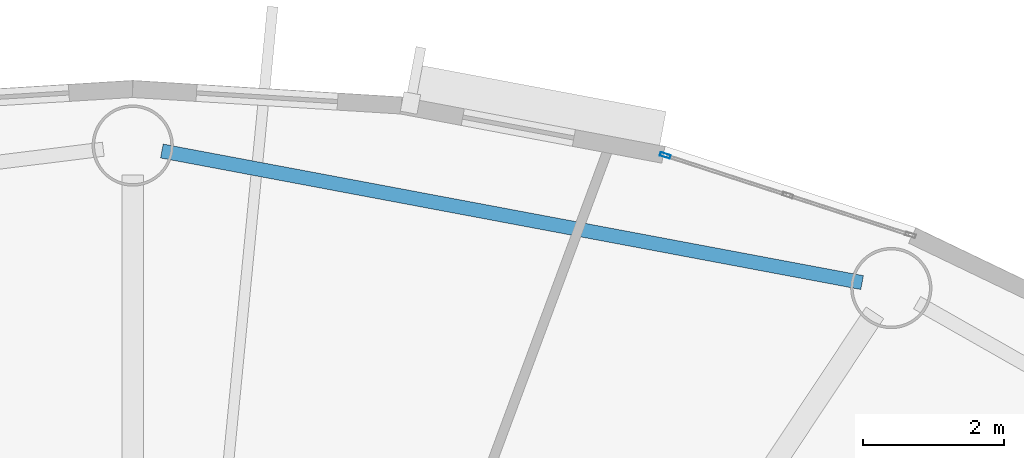
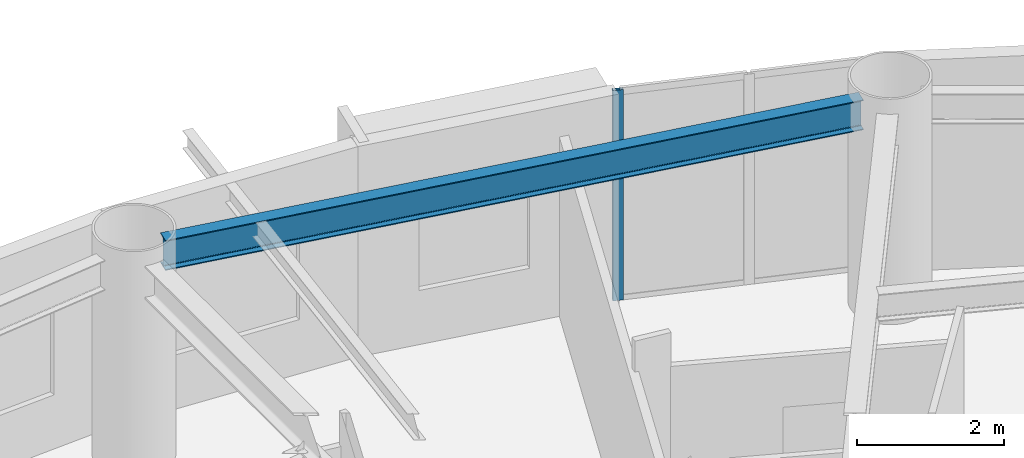
# One storey, part 4 of 19: 1 beam, 1 member, 1 element without a shape of its own.
"""IFC4 building model written with IfcOpenShell, lengths in metres."""

from ifc_helpers import new_model, si_unit, direction, frame, origin, origin_2d, place, context, subcontext, project, spatial, hollow_rectangle, i_section, extrude, source, transform, mapped, material, layer, layer_set, material_profile, profile_set, type_object, element, aggregate, save


model = new_model("IFC4")

# Units and contexts
model_context = context("Model", 3, precision=1e-05, world=origin(), true_north=direction((0.0, 1.0)))
body_context = subcontext(model_context, "Body", "Model", "MODEL_VIEW")
ifc_project = project(units=[si_unit("LENGTHUNIT", "METRE"), si_unit("AREAUNIT", "SQUARE_METRE"), si_unit("VOLUMEUNIT", "CUBIC_METRE"), si_unit("PLANEANGLEUNIT", "RADIAN"), si_unit("MASSUNIT", "GRAM", prefix="KILO")], contexts=[model_context])

# Site, building, storey
site_placement = place(None, origin())
site = spatial("IfcSite", under=ifc_project, at=site_placement, CompositionType="ELEMENT")
building_placement = place(site_placement, origin())
building = spatial("IfcBuilding", under=site, at=building_placement, Name="Linh Dai School and Residence Tower", CompositionType="ELEMENT")
storey_placement = place(building_placement, frame((0.0, 0.0, 217.800048828125)))
storey = spatial("IfcBuildingStorey", under=building, at=storey_placement, Name="L53", CompositionType="ELEMENT", Elevation=217.800048828125)

# Beam
ifc_material_1 = material(Name="Structural Steel S355JR", Category="steel")
ifc_material_profile_1 = material_profile(ifc_material_1, i_section(OverallWidth=0.199951171875, OverallDepth=0.5, WebThickness=0.01025390625, FlangeThickness=0.01611328125, FilletRadius=0.02099609375, at=origin_2d()), Name="IPE 500")
ifc_profile_set_1 = profile_set([ifc_material_profile_1], Name="Structural Steel S355JR")
beam_type = type_object("IfcBeamType", Name="BM-RB50", PredefinedType="BEAM", material=ifc_profile_set_1)
beam_placement = place(storey_placement, frame((46.32177734375, 43.240966796875, 3.25), z_axis=(-0.982806607762, 0.184637947722, 0.0), x_axis=(-0.184637947722, -0.982806607762, 0.0)))
element("IfcBeam", 1, at=beam_placement, inside=storey, type_object=beam_type, Name="L53 Perimeter Elliptical Ring Beam 04", PredefinedType="BEAM", context=body_context, shape_type="SweptSolid", body=[
    extrude(i_section(OverallWidth=0.199951171875, OverallDepth=0.5, WebThickness=0.01025390625, FlangeThickness=0.01611328125, FilletRadius=0.02099609375, at=origin_2d()), origin(), (0.0, 0.0, 1.0), 10.082275390625),
])

# Curtain wall, member
ifc_material_2 = material(Name="Aluminium Anodised Curtain Wall", Category="aluminium")
ifc_layer = layer(ifc_material_2, 0.14990234375)
ifc_layer_set = layer_set([ifc_layer], Name="Aluminium Anodised Curtain Wall")
curtain_wall_type = type_object("IfcCurtainWallType", Name="CW-SYS-4", PredefinedType="USERDEFINED", material=ifc_layer_set)
curtain_wall_placement = place(storey_placement, origin())
curtain_wall = element("IfcCurtainWall", 2, at=curtain_wall_placement, inside=storey, type_object=curtain_wall_type, Name="L53 CW4 Curtain Wall 08", ObjectType="RIBBON CURTAIN WALL", PredefinedType="USERDEFINED")
ifc_material_3 = material(Name="Aluminium Alloy 6063-T6", Category="aluminium")
ifc_material_profile_2 = material_profile(ifc_material_3, hollow_rectangle(XDim=0.052001953125, YDim=0.14990234375, WallThickness=0.00390625, at=origin_2d()), Name="RHS 150x52x4")
ifc_profile_set_2 = profile_set([ifc_material_profile_2], Name="Aluminium Alloy 6063-T6")
member_type = type_object("IfcMemberType", Name="CW-SYS-4-MUL", PredefinedType="MULLION", material=ifc_profile_set_2)
shared_shape = source(origin(), body_context, "Body", "SweptSolid", [
    extrude(hollow_rectangle(XDim=0.052001953125, YDim=0.14990234375, WallThickness=0.00390625, at=origin_2d()), origin(), (0.0, 0.0, 1.0), 3.5),
])
member_placement = place(storey_placement, frame((43.533935546875, 45.040771484375, 0.0), z_axis=(0.0, 0.0, 1.0), x_axis=(0.308501065272, 0.951223997135, 0.0)))
member = element("IfcMember", 3, at=member_placement, type_object=member_type, Name="CW4 mullion 1", PredefinedType="MULLION", context=body_context, shape_type="MappedRepresentation", body=[
    mapped(shared_shape, transform((0.0, 0.0, 0.0), x_axis=(1.0, 0.0, 0.0), y_axis=(0.0, 1.0, 0.0), z_axis=(0.0, 0.0, 1.0), scale=1.0)),
])
aggregate(curtain_wall, [member])

save(model, "model.ifc")
